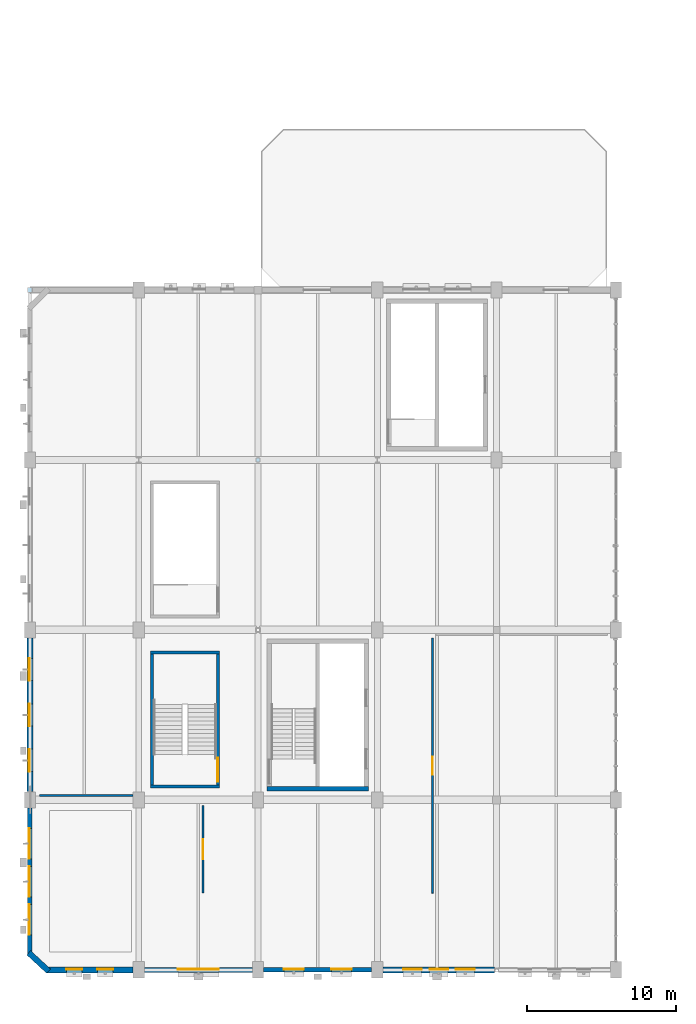
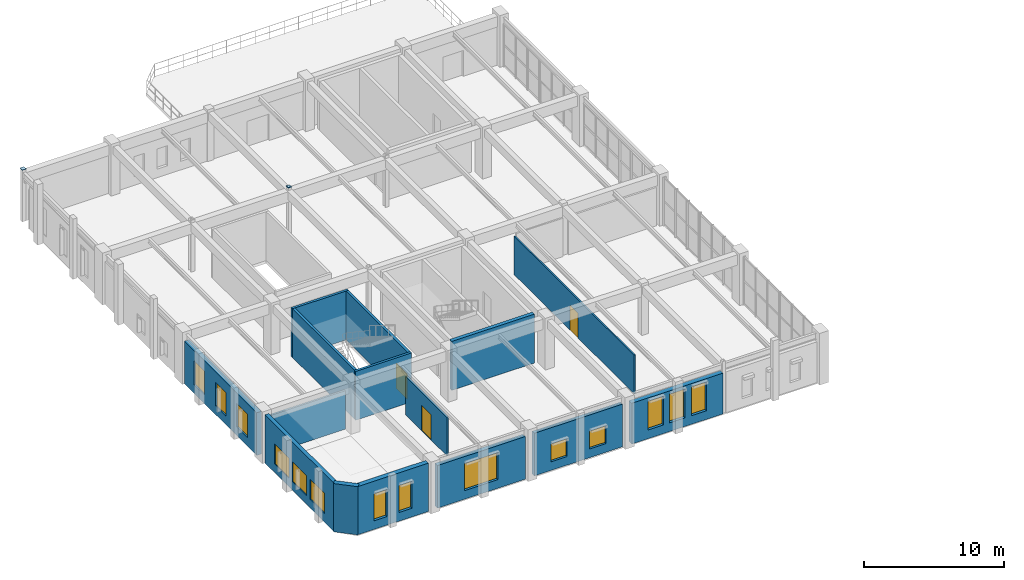
# One storey, part 36 of 48: 15 walls, 14 windows, 3 doors, 2 plates, 17 openings.
"""IFC4 building model written with IfcOpenShell, lengths in metres."""

from ifc_helpers import new_model, si_unit, direction, frame, frame_2d, origin, origin_2d, place, context, subcontext, project, spatial, rectangle, extrude, material, layer, layer_set, type_object, element, fill, save


model = new_model("IFC4")

# Units and contexts
model_context = context("Model", 3, precision=1e-05, world=origin(), true_north=direction((0.0, 1.0)))
body_context = subcontext(model_context, "Body", "Model", "MODEL_VIEW")
ifc_project = project(units=[si_unit("LENGTHUNIT", "METRE"), si_unit("AREAUNIT", "SQUARE_METRE"), si_unit("VOLUMEUNIT", "CUBIC_METRE"), si_unit("PLANEANGLEUNIT", "RADIAN"), si_unit("MASSUNIT", "GRAM", prefix="KILO"), si_unit("POWERUNIT", "WATT"), si_unit("THERMODYNAMICTEMPERATUREUNIT", "KELVIN")], contexts=[model_context])

# Site, building, storey
site_placement = place(None, origin())
site = spatial("IfcSite", under=ifc_project, at=site_placement, CompositionType="ELEMENT")
building_placement = place(site_placement, origin())
building = spatial("IfcBuilding", under=site, at=building_placement, Name="Kelmbourne Parkland Aquatics Centre", CompositionType="ELEMENT")
storey_placement = place(building_placement, frame((0.0, 0.0, 14.699951171875)))
storey = spatial("IfcBuildingStorey", under=building, at=storey_placement, Name="L03", CompositionType="ELEMENT", Elevation=14.699951171875)

# Plates
ifc_material_1 = material(Name="Welded plate steel AS/NZS 3678 Grade 350", Category="steel")
ifc_layer_1 = layer(ifc_material_1, 0.02001953125)
ifc_layer_set_1 = layer_set([ifc_layer_1], Name="Welded plate steel AS/NZS 3678 Grade 350")
plate_type_1 = type_object("IfcPlateType", Name="PL-CAP-20", PredefinedType="USERDEFINED", material=ifc_layer_set_1)
plate_1_placement = place(storey_placement, frame((16.0, 35.0, 4.4990234375), z_axis=(0.0, 0.0, 1.0), x_axis=(1.0, 0.0, 0.0)))
element("IfcPlate", 1, at=plate_1_placement, inside=storey, type_object=plate_type_1, Name="Hollow end cap plate CAP-0005", ObjectType="END CAP PLATE", PredefinedType="USERDEFINED", context=body_context, shape_type="SweptSolid", body=[
    extrude(rectangle(XDim=0.280029296875, YDim=0.280029296875, at=origin_2d()), origin(), (0.0, 0.0, 1.0), 0.02001953125),
])
ifc_layer_2 = layer(ifc_material_1, 0.02392578125)
ifc_layer_set_2 = layer_set([ifc_layer_2], Name="Welded plate steel AS/NZS 3678 Grade 350")
plate_type_2 = type_object("IfcPlateType", Name="PL-CAP-24", PredefinedType="USERDEFINED", material=ifc_layer_set_2)
plate_2_placement = place(storey_placement, frame((0.699951171875, 46.39990234375, 4.4990234375), z_axis=(0.0, 0.0, 1.0), x_axis=(1.0, 0.0, 0.0)))
element("IfcPlate", 2, at=plate_2_placement, inside=storey, type_object=plate_type_2, Name="Hollow end cap plate CAP-0003", ObjectType="END CAP PLATE", PredefinedType="USERDEFINED", context=body_context, shape_type="SweptSolid", body=[
    extrude(rectangle(XDim=0.330078125, YDim=0.330078125, at=origin_2d()), origin(), (0.0, 0.0, 1.0), 0.02392578125),
])

# Wall
ifc_material_2 = material(Name="Concrete C40/50", Category="concrete")
ifc_layer_3 = layer(ifc_material_2, 0.300048828125)
ifc_layer_set_3 = layer_set([ifc_layer_3], Name="Concrete C40/50")
wall_type_1 = type_object("IfcWallType", Name="W-CORE-300", PredefinedType="SHEAR", material=ifc_layer_set_3)
wall_1_placement = place(storey_placement, frame((16.60009765625, 12.949951171875, 0.0), z_axis=(0.0, 0.0, 1.0), x_axis=(1.0, 0.0, 0.0)))
element("IfcWall", 3, at=wall_1_placement, inside=storey, type_object=wall_type_1, Name="West Wing South Fire-Fighting Core south wall (L03)", PredefinedType="SHEAR", context=body_context, shape_type="SweptSolid", body=[
    extrude(rectangle(XDim=6.7998046875, YDim=0.300048828125, at=frame_2d((3.39990234375, 0.0))), origin(), (0.0, 0.0, 1.0), 4.260009765625),
])

# Wall, openings, windows
ifc_material_3 = material(Name="Russet clinker clay brickwork", Category="masonry")
ifc_layer_4 = layer(ifc_material_3, 0.31005859375)
ifc_layer_set_4 = layer_set([ifc_layer_4], Name="Russet clinker clay brickwork")
wall_type_2 = type_object("IfcWallType", Name="W-EXT-310", PredefinedType="STANDARD", material=ifc_layer_set_4)
wall_2_placement = place(storey_placement, frame((0.699951171875, 1.800048828125, 0.0), z_axis=(0.0, 0.0, 1.0), x_axis=(0.0, 1.0, 0.0)))
wall_2 = element("IfcWall", 4, at=wall_2_placement, inside=storey, type_object=wall_type_2, Name="Exterior polychrome brick wall EW-L03-119", PredefinedType="STANDARD", context=body_context, shape_type="SweptSolid", body=[
    extrude(rectangle(XDim=9.847900390625, YDim=0.31005859375, at=frame_2d((4.923828125, 0.0))), origin(), (0.0, 0.0, 1.0), 4.199951171875),
])
opening_1_placement = place(wall_2_placement, frame((1.35009765625, 0.0, 0.75)))
opening_1 = element("IfcOpeningElement", 5, at=opening_1_placement, cuts=wall_2, Name="Opening W05", PredefinedType="OPENING", context=body_context, shape_type="SweptSolid", body=[
    extrude(rectangle(XDim=2.050048828125, YDim=1.75, at=frame_2d((1.02490234375, 0.875))), frame((0.0, 0.1669921875, 0.0), z_axis=(0.0, -1.0, 0.0), x_axis=(1.0, 0.0, 0.0)), (0.0, 0.0, 1.0), 0.333984375),
])
opening_2_placement = place(wall_2_placement, frame((3.89892578125, 0.0, 0.75)))
opening_2 = element("IfcOpeningElement", 6, at=opening_2_placement, cuts=wall_2, Name="Opening W05", PredefinedType="OPENING", context=body_context, shape_type="SweptSolid", body=[
    extrude(rectangle(XDim=2.050048828125, YDim=1.75, at=frame_2d((1.02490234375, 0.875))), frame((0.0, 0.1669921875, 0.0), z_axis=(0.0, -1.0, 0.0), x_axis=(1.0, 0.0, 0.0)), (0.0, 0.0, 1.0), 0.333984375),
])
opening_3_placement = place(wall_2_placement, frame((6.447998046875, 0.0, 0.75)))
opening_3 = element("IfcOpeningElement", 7, at=opening_3_placement, cuts=wall_2, Name="Opening W05", PredefinedType="OPENING", context=body_context, shape_type="SweptSolid", body=[
    extrude(rectangle(XDim=2.050048828125, YDim=1.75, at=frame_2d((1.02490234375, 0.875))), frame((0.0, 0.1669921875, 0.0), z_axis=(0.0, -1.0, 0.0), x_axis=(1.0, 0.0, 0.0)), (0.0, 0.0, 1.0), 0.333984375),
])
ifc_material_4 = material(Name="Thermally broken anodised aluminium window with low-e glass", Category="aluminium")
ifc_layer_5 = layer(ifc_material_4, 0.090087890625)
ifc_layer_set_5 = layer_set([ifc_layer_5], Name="Thermally broken anodised aluminium window with low-e glass")
window_type_1 = type_object("IfcWindowType", Name="WN-05", PartitioningType="TRIPLE_PANEL_VERTICAL", PredefinedType="WINDOW", material=ifc_layer_set_5)
window_1_placement = place(opening_1_placement, origin())
window_1 = element("IfcWindow", 8, at=window_1_placement, inside=storey, type_object=window_type_1, Name="Deep-reveal masonry window W05", OverallHeight=1.75, OverallWidth=2.050048828125, PartitioningType="TRIPLE_PANEL_VERTICAL", PredefinedType="WINDOW", context=body_context, shape_type="SweptSolid", body=[
    extrude(rectangle(XDim=2.050048828125, YDim=1.75, at=frame_2d((1.02490234375, 0.875))), frame((0.0, 0.080078125, 0.0), z_axis=(0.0, -1.0, 0.0), x_axis=(1.0, 0.0, 0.0)), (0.0, 0.0, 1.0), 0.06005859375),
])
fill(opening_1, window_1)
window_2_placement = place(opening_2_placement, origin())
window_2 = element("IfcWindow", 9, at=window_2_placement, inside=storey, type_object=window_type_1, Name="Deep-reveal masonry window W05", OverallHeight=1.75, OverallWidth=2.050048828125, PartitioningType="TRIPLE_PANEL_VERTICAL", PredefinedType="WINDOW", context=body_context, shape_type="SweptSolid", body=[
    extrude(rectangle(XDim=2.050048828125, YDim=1.75, at=frame_2d((1.02490234375, 0.875))), frame((0.0, 0.080078125, 0.0), z_axis=(0.0, -1.0, 0.0), x_axis=(1.0, 0.0, 0.0)), (0.0, 0.0, 1.0), 0.06005859375),
])
fill(opening_2, window_2)
window_3_placement = place(opening_3_placement, origin())
window_3 = element("IfcWindow", 10, at=window_3_placement, inside=storey, type_object=window_type_1, Name="Deep-reveal masonry window W05", OverallHeight=1.75, OverallWidth=2.050048828125, PartitioningType="TRIPLE_PANEL_VERTICAL", PredefinedType="WINDOW", context=body_context, shape_type="SweptSolid", body=[
    extrude(rectangle(XDim=2.050048828125, YDim=1.75, at=frame_2d((1.02490234375, 0.875))), frame((0.0, 0.080078125, 0.0), z_axis=(0.0, -1.0, 0.0), x_axis=(1.0, 0.0, 0.0)), (0.0, 0.0, 1.0), 0.06005859375),
])
fill(opening_3, window_3)

wall_3_placement = place(storey_placement, frame((16.376953125, 0.800048828125, 0.0), z_axis=(0.0, 0.0, 1.0), x_axis=(1.0, 0.0, 0.0)))
wall_3 = element("IfcWall", 11, at=wall_3_placement, inside=storey, type_object=wall_type_2, Name="Exterior polychrome brick wall EW-L03-125", PredefinedType="STANDARD", context=body_context, shape_type="SweptSolid", body=[
    extrude(rectangle(XDim=7.24609375, YDim=0.31005859375, at=frame_2d((3.623046875, 0.0))), origin(), (0.0, 0.0, 1.0), 3.712158203125),
])
opening_4_placement = place(wall_3_placement, frame((1.35009765625, 0.0, 0.75)))
opening_4 = element("IfcOpeningElement", 12, at=opening_4_placement, cuts=wall_3, Name="Opening W22", PredefinedType="OPENING", context=body_context, shape_type="SweptSolid", body=[
    extrude(rectangle(XDim=1.35009765625, YDim=1.550048828125, at=frame_2d((0.675048828125, 0.77490234375))), frame((0.0, 0.1669921875, 0.0), z_axis=(0.0, -1.0, 0.0), x_axis=(1.0, 0.0, 0.0)), (0.0, 0.0, 1.0), 0.333984375),
])
opening_5_placement = place(wall_3_placement, frame((4.5458984375, 0.0, 0.75)))
opening_5 = element("IfcOpeningElement", 13, at=opening_5_placement, cuts=wall_3, Name="Opening W22", PredefinedType="OPENING", context=body_context, shape_type="SweptSolid", body=[
    extrude(rectangle(XDim=1.35009765625, YDim=1.550048828125, at=frame_2d((0.675048828125, 0.77490234375))), frame((0.0, 0.1669921875, 0.0), z_axis=(0.0, -1.0, 0.0), x_axis=(1.0, 0.0, 0.0)), (0.0, 0.0, 1.0), 0.333984375),
])
ifc_layer_6 = layer(ifc_material_4, 0.090087890625)
ifc_layer_set_6 = layer_set([ifc_layer_6], Name="Thermally broken anodised aluminium window with low-e glass")
window_type_2 = type_object("IfcWindowType", Name="WN-22", PartitioningType="DOUBLE_PANEL_VERTICAL", PredefinedType="WINDOW", material=ifc_layer_set_6)
window_4_placement = place(opening_4_placement, origin())
window_4 = element("IfcWindow", 14, at=window_4_placement, inside=storey, type_object=window_type_2, Name="Deep-reveal masonry window W22", OverallHeight=1.550048828125, OverallWidth=1.35009765625, PartitioningType="DOUBLE_PANEL_VERTICAL", PredefinedType="WINDOW", context=body_context, shape_type="SweptSolid", body=[
    extrude(rectangle(XDim=1.35009765625, YDim=1.550048828125, at=frame_2d((0.675048828125, 0.77490234375))), frame((0.0, 0.080078125, 0.0), z_axis=(0.0, -1.0, 0.0), x_axis=(1.0, 0.0, 0.0)), (0.0, 0.0, 1.0), 0.06005859375),
])
fill(opening_4, window_4)
window_5_placement = place(opening_5_placement, origin())
window_5 = element("IfcWindow", 15, at=window_5_placement, inside=storey, type_object=window_type_2, Name="Deep-reveal masonry window W22", OverallHeight=1.550048828125, OverallWidth=1.35009765625, PartitioningType="DOUBLE_PANEL_VERTICAL", PredefinedType="WINDOW", context=body_context, shape_type="SweptSolid", body=[
    extrude(rectangle(XDim=1.35009765625, YDim=1.550048828125, at=frame_2d((0.675048828125, 0.77490234375))), frame((0.0, 0.080078125, 0.0), z_axis=(0.0, -1.0, 0.0), x_axis=(1.0, 0.0, 0.0)), (0.0, 0.0, 1.0), 0.06005859375),
])
fill(opening_5, window_5)

# Wall, opening, window
ifc_material_5 = material(Name="Polychrome glazed brick header coursework", Category="masonry")
ifc_layer_7 = layer(ifc_material_5, 0.35009765625)
ifc_layer_set_7 = layer_set([ifc_layer_7], Name="Polychrome glazed brick header coursework")
wall_type_3 = type_object("IfcWallType", Name="W-EXT-350", PredefinedType="STANDARD", material=ifc_layer_set_7)
wall_4_placement = place(storey_placement, frame((8.376953125, 0.800048828125, 0.0), z_axis=(0.0, 0.0, 1.0), x_axis=(1.0, 0.0, 0.0)))
wall_4 = element("IfcWall", 16, at=wall_4_placement, inside=storey, type_object=wall_type_3, Name="Exterior polychrome brick wall EW-L03-124", PredefinedType="STANDARD", context=body_context, shape_type="SweptSolid", body=[
    extrude(rectangle(XDim=7.24609375, YDim=0.35009765625, at=frame_2d((3.623046875, 0.0))), origin(), (0.0, 0.0, 1.0), 3.712158203125),
])
opening_6_placement = place(wall_4_placement, frame((2.248046875, 0.0, 0.75)))
opening_6 = element("IfcOpeningElement", 17, at=opening_6_placement, cuts=wall_4, Name="Opening W20", PredefinedType="OPENING", context=body_context, shape_type="SweptSolid", body=[
    extrude(rectangle(XDim=2.75, YDim=2.35009765625, at=frame_2d((1.375, 1.175048828125))), frame((0.0, 0.18701171875, 0.0), z_axis=(0.0, -1.0, 0.0), x_axis=(1.0, 0.0, 0.0)), (0.0, 0.0, 1.0), 0.3740234375),
])
ifc_layer_8 = layer(ifc_material_4, 0.090087890625)
ifc_layer_set_8 = layer_set([ifc_layer_8], Name="Thermally broken anodised aluminium window with low-e glass")
window_type_3 = type_object("IfcWindowType", Name="WN-20", PartitioningType="TRIPLE_PANEL_VERTICAL", PredefinedType="WINDOW", material=ifc_layer_set_8)
window_6_placement = place(opening_6_placement, origin())
window_6 = element("IfcWindow", 18, at=window_6_placement, inside=storey, type_object=window_type_3, Name="Deep-reveal masonry window W20", OverallHeight=2.35009765625, OverallWidth=2.75, PartitioningType="TRIPLE_PANEL_VERTICAL", PredefinedType="WINDOW", context=body_context, shape_type="SweptSolid", body=[
    extrude(rectangle(XDim=2.75, YDim=2.35009765625, at=frame_2d((1.375, 1.175048828125))), frame((0.0, 0.080078125, 0.0), z_axis=(0.0, -1.0, 0.0), x_axis=(1.0, 0.0, 0.0)), (0.0, 0.0, 1.0), 0.06005859375),
])
fill(opening_6, window_6)

# Wall, openings, windows
ifc_layer_9 = layer(ifc_material_3, 0.389892578125)
ifc_layer_set_9 = layer_set([ifc_layer_9], Name="Russet clinker clay brickwork")
wall_type_4 = type_object("IfcWallType", Name="W-EXT-390", PredefinedType="STANDARD", material=ifc_layer_set_9)
wall_5_placement = place(storey_placement, frame((0.699951171875, 12.751953125, 0.0), z_axis=(0.0, 0.0, 1.0), x_axis=(0.0, 1.0, 0.0)))
wall_5 = element("IfcWall", 19, at=wall_5_placement, inside=storey, type_object=wall_type_4, Name="Exterior polychrome brick wall EW-L03-120", PredefinedType="STANDARD", context=body_context, shape_type="SweptSolid", body=[
    extrude(rectangle(XDim=10.296142578125, YDim=0.389892578125, at=frame_2d((5.14794921875, 0.0))), origin(), (0.0, 0.0, 1.0), 3.712158203125),
])
opening_7_placement = place(wall_5_placement, frame((1.35009765625, 0.0, 0.75)))
opening_7 = element("IfcOpeningElement", 20, at=opening_7_placement, cuts=wall_5, Name="Opening W09", PredefinedType="OPENING", context=body_context, shape_type="SweptSolid", body=[
    extrude(rectangle(XDim=1.5, YDim=2.050048828125, at=frame_2d((0.75, 1.02490234375))), frame((0.0, 0.20703125, 0.0), z_axis=(0.0, -1.0, 0.0), x_axis=(1.0, 0.0, 0.0)), (0.0, 0.0, 1.0), 0.413818359375),
])
opening_8_placement = place(wall_5_placement, frame((4.39794921875, 0.0, 0.75)))
opening_8 = element("IfcOpeningElement", 21, at=opening_8_placement, cuts=wall_5, Name="Opening W09", PredefinedType="OPENING", context=body_context, shape_type="SweptSolid", body=[
    extrude(rectangle(XDim=1.5, YDim=2.050048828125, at=frame_2d((0.75, 1.02490234375))), frame((0.0, 0.20703125, 0.0), z_axis=(0.0, -1.0, 0.0), x_axis=(1.0, 0.0, 0.0)), (0.0, 0.0, 1.0), 0.413818359375),
])
opening_9_placement = place(wall_5_placement, frame((7.446044921875, 0.0, 0.75)))
opening_9 = element("IfcOpeningElement", 22, at=opening_9_placement, cuts=wall_5, Name="Opening W09", PredefinedType="OPENING", context=body_context, shape_type="SweptSolid", body=[
    extrude(rectangle(XDim=1.5, YDim=2.050048828125, at=frame_2d((0.75, 1.02490234375))), frame((0.0, 0.20703125, 0.0), z_axis=(0.0, -1.0, 0.0), x_axis=(1.0, 0.0, 0.0)), (0.0, 0.0, 1.0), 0.413818359375),
])
ifc_layer_10 = layer(ifc_material_4, 0.090087890625)
ifc_layer_set_10 = layer_set([ifc_layer_10], Name="Thermally broken anodised aluminium window with low-e glass")
window_type_4 = type_object("IfcWindowType", Name="WN-09", PartitioningType="DOUBLE_PANEL_VERTICAL", PredefinedType="WINDOW", material=ifc_layer_set_10)
window_7_placement = place(opening_7_placement, origin())
window_7 = element("IfcWindow", 23, at=window_7_placement, inside=storey, type_object=window_type_4, Name="Deep-reveal masonry window W09", OverallHeight=2.050048828125, OverallWidth=1.5, PartitioningType="DOUBLE_PANEL_VERTICAL", PredefinedType="WINDOW", context=body_context, shape_type="SweptSolid", body=[
    extrude(rectangle(XDim=1.5, YDim=2.050048828125, at=frame_2d((0.75, 1.02490234375))), frame((0.0, 0.080078125, 0.0), z_axis=(0.0, -1.0, 0.0), x_axis=(1.0, 0.0, 0.0)), (0.0, 0.0, 1.0), 0.06005859375),
])
fill(opening_7, window_7)
window_8_placement = place(opening_8_placement, origin())
window_8 = element("IfcWindow", 24, at=window_8_placement, inside=storey, type_object=window_type_4, Name="Deep-reveal masonry window W09", OverallHeight=2.050048828125, OverallWidth=1.5, PartitioningType="DOUBLE_PANEL_VERTICAL", PredefinedType="WINDOW", context=body_context, shape_type="SweptSolid", body=[
    extrude(rectangle(XDim=1.5, YDim=2.050048828125, at=frame_2d((0.75, 1.02490234375))), frame((0.0, 0.080078125, 0.0), z_axis=(0.0, -1.0, 0.0), x_axis=(1.0, 0.0, 0.0)), (0.0, 0.0, 1.0), 0.06005859375),
])
fill(opening_8, window_8)
window_9_placement = place(opening_9_placement, origin())
window_9 = element("IfcWindow", 25, at=window_9_placement, inside=storey, type_object=window_type_4, Name="Deep-reveal masonry window W09", OverallHeight=2.050048828125, OverallWidth=1.5, PartitioningType="DOUBLE_PANEL_VERTICAL", PredefinedType="WINDOW", context=body_context, shape_type="SweptSolid", body=[
    extrude(rectangle(XDim=1.5, YDim=2.050048828125, at=frame_2d((0.75, 1.02490234375))), frame((0.0, 0.080078125, 0.0), z_axis=(0.0, -1.0, 0.0), x_axis=(1.0, 0.0, 0.0)), (0.0, 0.0, 1.0), 0.06005859375),
])
fill(opening_9, window_9)

wall_6_placement = place(storey_placement, frame((1.800048828125, 0.800048828125, 0.0), z_axis=(0.0, 0.0, 1.0), x_axis=(1.0, 0.0, 0.0)))
wall_6 = element("IfcWall", 26, at=wall_6_placement, inside=storey, type_object=wall_type_4, Name="Exterior polychrome brick wall EW-L03-123", PredefinedType="STANDARD", context=body_context, shape_type="SweptSolid", body=[
    extrude(rectangle(XDim=5.822998046875, YDim=0.389892578125, at=frame_2d((2.91162109375, 0.0))), origin(), (0.0, 0.0, 1.0), 4.199951171875),
])
opening_10_placement = place(wall_6_placement, frame((1.35009765625, 0.0, 0.75)))
opening_10 = element("IfcOpeningElement", 27, at=opening_10_placement, cuts=wall_6, Name="Opening W17", PredefinedType="OPENING", context=body_context, shape_type="SweptSolid", body=[
    extrude(rectangle(XDim=1.050048828125, YDim=2.35009765625, at=frame_2d((0.52490234375, 1.175048828125))), frame((0.0, 0.20703125, 0.0), z_axis=(0.0, -1.0, 0.0), x_axis=(1.0, 0.0, 0.0)), (0.0, 0.0, 1.0), 0.413818359375),
])
opening_11_placement = place(wall_6_placement, frame((3.423095703125, 0.0, 0.75)))
opening_11 = element("IfcOpeningElement", 28, at=opening_11_placement, cuts=wall_6, Name="Opening W17", PredefinedType="OPENING", context=body_context, shape_type="SweptSolid", body=[
    extrude(rectangle(XDim=1.050048828125, YDim=2.35009765625, at=frame_2d((0.52490234375, 1.175048828125))), frame((0.0, 0.20703125, 0.0), z_axis=(0.0, -1.0, 0.0), x_axis=(1.0, 0.0, 0.0)), (0.0, 0.0, 1.0), 0.413818359375),
])
ifc_layer_11 = layer(ifc_material_4, 0.090087890625)
ifc_layer_set_11 = layer_set([ifc_layer_11], Name="Thermally broken anodised aluminium window with low-e glass")
window_type_5 = type_object("IfcWindowType", Name="WN-17", PartitioningType="SINGLE_PANEL", PredefinedType="WINDOW", material=ifc_layer_set_11)
window_10_placement = place(opening_10_placement, origin())
window_10 = element("IfcWindow", 29, at=window_10_placement, inside=storey, type_object=window_type_5, Name="Deep-reveal masonry window W17", OverallHeight=2.35009765625, OverallWidth=1.050048828125, PartitioningType="SINGLE_PANEL", PredefinedType="WINDOW", context=body_context, shape_type="SweptSolid", body=[
    extrude(rectangle(XDim=1.050048828125, YDim=2.35009765625, at=frame_2d((0.52490234375, 1.175048828125))), frame((0.0, 0.080078125, 0.0), z_axis=(0.0, -1.0, 0.0), x_axis=(1.0, 0.0, 0.0)), (0.0, 0.0, 1.0), 0.06005859375),
])
fill(opening_10, window_10)
window_11_placement = place(opening_11_placement, origin())
window_11 = element("IfcWindow", 30, at=window_11_placement, inside=storey, type_object=window_type_5, Name="Deep-reveal masonry window W17", OverallHeight=2.35009765625, OverallWidth=1.050048828125, PartitioningType="SINGLE_PANEL", PredefinedType="WINDOW", context=body_context, shape_type="SweptSolid", body=[
    extrude(rectangle(XDim=1.050048828125, YDim=2.35009765625, at=frame_2d((0.52490234375, 1.175048828125))), frame((0.0, 0.080078125, 0.0), z_axis=(0.0, -1.0, 0.0), x_axis=(1.0, 0.0, 0.0)), (0.0, 0.0, 1.0), 0.06005859375),
])
fill(opening_11, window_11)

wall_7_placement = place(storey_placement, frame((24.376953125, 0.800048828125, 0.0), z_axis=(0.0, 0.0, 1.0), x_axis=(1.0, 0.0, 0.0)))
wall_7 = element("IfcWall", 31, at=wall_7_placement, inside=storey, type_object=wall_type_4, Name="Exterior polychrome brick wall EW-L03-126", PredefinedType="STANDARD", context=body_context, shape_type="SweptSolid", body=[
    extrude(rectangle(XDim=7.49609375, YDim=0.389892578125, at=frame_2d((3.748046875, 0.0))), origin(), (0.0, 0.0, 1.0), 3.545166015625),
])
opening_12_placement = place(wall_7_placement, frame((1.35009765625, 0.0, 0.75)))
opening_12 = element("IfcOpeningElement", 32, at=opening_12_placement, cuts=wall_7, Name="Opening W25", PredefinedType="OPENING", context=body_context, shape_type="SweptSolid", body=[
    extrude(rectangle(XDim=1.25, YDim=2.5, at=frame_2d((0.625, 1.25))), frame((0.0, 0.20703125, 0.0), z_axis=(0.0, -1.0, 0.0), x_axis=(1.0, 0.0, 0.0)), (0.0, 0.0, 1.0), 0.413818359375),
])
opening_13_placement = place(wall_7_placement, frame((3.123046875, 0.0, 0.75)))
opening_13 = element("IfcOpeningElement", 33, at=opening_13_placement, cuts=wall_7, Name="Opening W25", PredefinedType="OPENING", context=body_context, shape_type="SweptSolid", body=[
    extrude(rectangle(XDim=1.25, YDim=2.5, at=frame_2d((0.625, 1.25))), frame((0.0, 0.20703125, 0.0), z_axis=(0.0, -1.0, 0.0), x_axis=(1.0, 0.0, 0.0)), (0.0, 0.0, 1.0), 0.413818359375),
])
opening_14_placement = place(wall_7_placement, frame((4.89599609375, 0.0, 0.75)))
opening_14 = element("IfcOpeningElement", 34, at=opening_14_placement, cuts=wall_7, Name="Opening W25", PredefinedType="OPENING", context=body_context, shape_type="SweptSolid", body=[
    extrude(rectangle(XDim=1.25, YDim=2.5, at=frame_2d((0.625, 1.25))), frame((0.0, 0.20703125, 0.0), z_axis=(0.0, -1.0, 0.0), x_axis=(1.0, 0.0, 0.0)), (0.0, 0.0, 1.0), 0.413818359375),
])
ifc_layer_12 = layer(ifc_material_4, 0.090087890625)
ifc_layer_set_12 = layer_set([ifc_layer_12], Name="Thermally broken anodised aluminium window with low-e glass")
window_type_6 = type_object("IfcWindowType", Name="WN-25", PartitioningType="SINGLE_PANEL", PredefinedType="WINDOW", material=ifc_layer_set_12)
window_12_placement = place(opening_12_placement, origin())
window_12 = element("IfcWindow", 35, at=window_12_placement, inside=storey, type_object=window_type_6, Name="Deep-reveal masonry window W25", OverallHeight=2.5, OverallWidth=1.25, PartitioningType="SINGLE_PANEL", PredefinedType="WINDOW", context=body_context, shape_type="SweptSolid", body=[
    extrude(rectangle(XDim=1.25, YDim=2.5, at=frame_2d((0.625, 1.25))), frame((0.0, 0.080078125, 0.0), z_axis=(0.0, -1.0, 0.0), x_axis=(1.0, 0.0, 0.0)), (0.0, 0.0, 1.0), 0.06005859375),
])
fill(opening_12, window_12)
window_13_placement = place(opening_13_placement, origin())
window_13 = element("IfcWindow", 36, at=window_13_placement, inside=storey, type_object=window_type_6, Name="Deep-reveal masonry window W25", OverallHeight=2.5, OverallWidth=1.25, PartitioningType="SINGLE_PANEL", PredefinedType="WINDOW", context=body_context, shape_type="SweptSolid", body=[
    extrude(rectangle(XDim=1.25, YDim=2.5, at=frame_2d((0.625, 1.25))), frame((0.0, 0.080078125, 0.0), z_axis=(0.0, -1.0, 0.0), x_axis=(1.0, 0.0, 0.0)), (0.0, 0.0, 1.0), 0.06005859375),
])
fill(opening_13, window_13)
window_14_placement = place(opening_14_placement, origin())
window_14 = element("IfcWindow", 37, at=window_14_placement, inside=storey, type_object=window_type_6, Name="Deep-reveal masonry window W25", OverallHeight=2.5, OverallWidth=1.25, PartitioningType="SINGLE_PANEL", PredefinedType="WINDOW", context=body_context, shape_type="SweptSolid", body=[
    extrude(rectangle(XDim=1.25, YDim=2.5, at=frame_2d((0.625, 1.25))), frame((0.0, 0.080078125, 0.0), z_axis=(0.0, -1.0, 0.0), x_axis=(1.0, 0.0, 0.0)), (0.0, 0.0, 1.0), 0.06005859375),
])
fill(opening_14, window_14)

# Walls
wall_8_placement = place(storey_placement, frame((0.6201171875, 1.949951171875, 0.0), z_axis=(0.0, 0.0, 1.0), x_axis=(0.734131351327, -0.679007480812, 0.0)))
element("IfcWall", 38, at=wall_8_placement, inside=storey, type_object=wall_type_4, Name="Stepped brick corner bevel CHAM-L03-SW", PredefinedType="STANDARD", context=body_context, shape_type="SweptSolid", body=[
    extrude(rectangle(XDim=1.8115234375, YDim=0.389892578125, at=frame_2d((0.90576171875, 0.0))), origin(), (0.0, 0.0, 1.0), 4.199951171875),
])
ifc_material_6 = material(Name="Concrete blockwork C32/40", Category="masonry")
ifc_layer_13 = layer(ifc_material_6, 0.199951171875)
ifc_layer_set_13 = layer_set([ifc_layer_13], Name="Concrete blockwork C32/40")
wall_type_5 = type_object("IfcWallType", Name="W-FIRE-200", PredefinedType="SOLIDWALL", material=ifc_layer_set_13)
for number, where, z_axis, x_axis, name in (
    (39, (8.800048828125, 13.10009765625, 0.0), (0.0, 0.0, 1.0), (1.0, 0.0, 0.0), "West South Perimeter Exit Stair south enclosure (L03)"),
    (40, (8.800048828125, 22.10009765625, 0.0), (0.0, 0.0, 1.0), (1.0, 0.0, 0.0), "West South Perimeter Exit Stair north enclosure (L03)"),
):
    element("IfcWall", number, at=place(storey_placement, frame(where, z_axis=z_axis, x_axis=x_axis)), inside=storey, type_object=wall_type_5, Name=name, PredefinedType="SOLIDWALL", context=body_context, shape_type="SweptSolid", body=[
        extrude(rectangle(XDim=4.599853515625, YDim=0.199951171875, at=frame_2d((2.2998046875, 0.0))), origin(), (0.0, 0.0, 1.0), 4.260009765625),
    ])
wall_9_placement = place(storey_placement, frame((8.89990234375, 13.199951171875, 0.0), z_axis=(0.0, 0.0, 1.0), x_axis=(0.0, 1.0, 0.0)))
element("IfcWall", 41, at=wall_9_placement, inside=storey, type_object=wall_type_5, Name="West South Perimeter Exit Stair west enclosure (L03)", PredefinedType="SOLIDWALL", context=body_context, shape_type="SweptSolid", body=[
    extrude(rectangle(XDim=8.800048828125, YDim=0.199951171875, at=frame_2d((4.39990234375, 0.0))), origin(), (0.0, 0.0, 1.0), 4.260009765625),
])

# Wall, opening, door
wall_10_placement = place(storey_placement, frame((13.300048828125, 13.199951171875, 0.0), z_axis=(0.0, 0.0, 1.0), x_axis=(0.0, 1.0, 0.0)))
wall_10 = element("IfcWall", 42, at=wall_10_placement, inside=storey, type_object=wall_type_5, Name="West South Perimeter Exit Stair east enclosure (L03)", PredefinedType="SOLIDWALL", context=body_context, shape_type="SweptSolid", body=[
    extrude(rectangle(XDim=8.800048828125, YDim=0.199951171875, at=frame_2d((4.39990234375, 0.0))), origin(), (0.0, 0.0, 1.0), 4.260009765625),
])
opening_15_placement = place(wall_10_placement, frame((0.219970703125, 0.0, 0.0)))
opening_15 = element("IfcOpeningElement", 43, at=opening_15_placement, cuts=wall_10, Name="Opening FD02", PredefinedType="OPENING", context=body_context, shape_type="SweptSolid", body=[
    extrude(rectangle(XDim=1.60009765625, YDim=2.199951171875, at=frame_2d((0.800048828125, 1.10009765625))), frame((0.0, 0.11181640625, 0.0), z_axis=(0.0, -1.0, 0.0), x_axis=(1.0, 0.0, 0.0)), (0.0, 0.0, 1.0), 0.223876953125),
])
ifc_material_7 = material(Name="Marine-grade stainless steel and fire-rated hardwood doorset", Category="steel")
ifc_layer_14 = layer(ifc_material_7, 0.050048828125)
ifc_layer_set_14 = layer_set([ifc_layer_14], Name="Marine-grade stainless steel and fire-rated hardwood doorset")
door_type_1 = type_object("IfcDoorType", Name="DR-FD-160", OperationType="NOTDEFINED", PredefinedType="DOOR", material=ifc_layer_set_14)
door_1_placement = place(opening_15_placement, frame((1.60009765625, 0.0, 0.0), z_axis=(0.0, 0.0, 1.0), x_axis=(-1.0, 0.0, 0.0)))
door_1 = element("IfcDoor", 44, at=door_1_placement, inside=storey, type_object=door_type_1, Name="Exit stair fire door ST06 (L03)", OperationType="DOUBLE_DOOR_SINGLE_SWING", OverallHeight=2.199951171875, OverallWidth=1.60009765625, PredefinedType="DOOR", context=body_context, shape_type="SweptSolid", body=[
    extrude(rectangle(XDim=1.60009765625, YDim=2.199951171875, at=frame_2d((0.800048828125, 1.10009765625))), frame((0.0, 0.02490234375, 0.0), z_axis=(0.0, -1.0, 0.0), x_axis=(1.0, 0.0, 0.0)), (0.0, 0.0, 1.0), 0.050048828125),
])
fill(opening_15, door_1)

ifc_material_8 = material(Name="Moisture-resistant acoustic stud partition", Category="gypsum")
ifc_layer_15 = layer(ifc_material_8, 0.1201171875)
ifc_layer_set_15 = layer_set([ifc_layer_15], Name="Moisture-resistant acoustic stud partition")
wall_type_6 = type_object("IfcWallType", Name="W-PART-120", PredefinedType="PARTITIONING", material=ifc_layer_set_15)
wall_11_placement = place(storey_placement, frame((27.699951171875, 5.949951171875, 0.0), z_axis=(0.0, 0.0, 1.0), x_axis=(0.0, 1.0, 0.0)))
wall_11 = element("IfcWall", 45, at=wall_11_placement, inside=storey, type_object=wall_type_6, Name="Interior partition PT-L03-089", PredefinedType="PARTITIONING", context=body_context, shape_type="SweptSolid", body=[
    extrude(rectangle(XDim=17.10009765625, YDim=0.1201171875, at=frame_2d((8.550048828125, 0.0))), origin(), (0.0, 0.0, 1.0), 3.344970703125),
])
opening_16_placement = place(wall_11_placement, frame((7.949951171875, 0.0, 0.0)))
opening_16 = element("IfcOpeningElement", 46, at=opening_16_placement, cuts=wall_11, Name="Opening ID03", PredefinedType="OPENING", context=body_context, shape_type="SweptSolid", body=[
    extrude(rectangle(XDim=1.199951171875, YDim=2.14990234375, at=frame_2d((0.60009765625, 1.074951171875))), frame((0.0, 0.072021484375, 0.0), z_axis=(0.0, -1.0, 0.0), x_axis=(1.0, 0.0, 0.0)), (0.0, 0.0, 1.0), 0.14404296875),
])
ifc_material_9 = material(Name="Marine-grade stainless steel and solid-core hardwood doorset", Category="timber")
ifc_layer_16 = layer(ifc_material_9, 0.050048828125)
ifc_layer_set_16 = layer_set([ifc_layer_16], Name="Marine-grade stainless steel and solid-core hardwood doorset")
door_type_2 = type_object("IfcDoorType", Name="DR-INT-120", OperationType="NOTDEFINED", PredefinedType="DOOR", material=ifc_layer_set_16)
door_2_placement = place(opening_16_placement, origin())
door_2 = element("IfcDoor", 47, at=door_2_placement, inside=storey, type_object=door_type_2, Name="Interior door ID03 (L03-049)", OperationType="SINGLE_SWING_LEFT", OverallHeight=2.14990234375, OverallWidth=1.199951171875, PredefinedType="DOOR", context=body_context, shape_type="SweptSolid", body=[
    extrude(rectangle(XDim=1.199951171875, YDim=2.14990234375, at=frame_2d((0.60009765625, 1.074951171875))), frame((0.0, 0.02490234375, 0.0), z_axis=(0.0, -1.0, 0.0), x_axis=(1.0, 0.0, 0.0)), (0.0, 0.0, 1.0), 0.050048828125),
])
fill(opening_16, door_2)

ifc_layer_17 = layer(ifc_material_8, 0.14990234375)
ifc_layer_set_17 = layer_set([ifc_layer_17], Name="Moisture-resistant acoustic stud partition")
wall_type_7 = type_object("IfcWallType", Name="W-PART-150", PredefinedType="PARTITIONING", material=ifc_layer_set_17)
wall_12_placement = place(storey_placement, frame((12.300048828125, 5.949951171875, 0.0), z_axis=(0.0, 0.0, 1.0), x_axis=(0.0, 1.0, 0.0)))
wall_12 = element("IfcWall", 48, at=wall_12_placement, inside=storey, type_object=wall_type_7, Name="Interior partition PT-L03-088", PredefinedType="PARTITIONING", context=body_context, shape_type="SweptSolid", body=[
    extrude(rectangle(XDim=5.8701171875, YDim=0.14990234375, at=frame_2d((2.93505859375, 0.0))), origin(), (0.0, 0.0, 1.0), 3.344970703125),
])
opening_17_placement = place(wall_12_placement, frame((2.260009765625, 0.0, 0.0)))
opening_17 = element("IfcOpeningElement", 49, at=opening_17_placement, cuts=wall_12, Name="Opening ID08", PredefinedType="OPENING", context=body_context, shape_type="SweptSolid", body=[
    extrude(rectangle(XDim=1.35009765625, YDim=2.199951171875, at=frame_2d((0.675048828125, 1.10009765625))), frame((0.0, 0.0869140625, 0.0), z_axis=(0.0, -1.0, 0.0), x_axis=(1.0, 0.0, 0.0)), (0.0, 0.0, 1.0), 0.173828125),
])
ifc_layer_18 = layer(ifc_material_9, 0.050048828125)
ifc_layer_set_18 = layer_set([ifc_layer_18], Name="Marine-grade stainless steel and solid-core hardwood doorset")
door_type_3 = type_object("IfcDoorType", Name="DR-INT-135", OperationType="NOTDEFINED", PredefinedType="DOOR", material=ifc_layer_set_18)
door_3_placement = place(opening_17_placement, origin())
door_3 = element("IfcDoor", 50, at=door_3_placement, inside=storey, type_object=door_type_3, Name="Interior door ID08 (L03-048)", OperationType="DOUBLE_DOOR_SINGLE_SWING", OverallHeight=2.199951171875, OverallWidth=1.35009765625, PredefinedType="DOOR", context=body_context, shape_type="SweptSolid", body=[
    extrude(rectangle(XDim=1.35009765625, YDim=2.199951171875, at=frame_2d((0.675048828125, 1.10009765625))), frame((0.0, 0.02490234375, 0.0), z_axis=(0.0, -1.0, 0.0), x_axis=(1.0, 0.0, 0.0)), (0.0, 0.0, 1.0), 0.050048828125),
])
fill(opening_17, door_3)

# Wall
wall_13_placement = place(storey_placement, frame((1.35009765625, 12.5, 0.0), z_axis=(0.0, 0.0, 1.0), x_axis=(1.0, 0.0, 0.0)))
element("IfcWall", 51, at=wall_13_placement, inside=storey, type_object=wall_type_7, Name="Interior partition PT-L03-090", PredefinedType="PARTITIONING", context=body_context, shape_type="SweptSolid", body=[
    extrude(rectangle(XDim=6.27294921875, YDim=0.14990234375, at=frame_2d((3.136474609375, 0.0))), origin(), (0.0, 0.0, 1.0), 3.344970703125),
])

save(model, "model.ifc")
